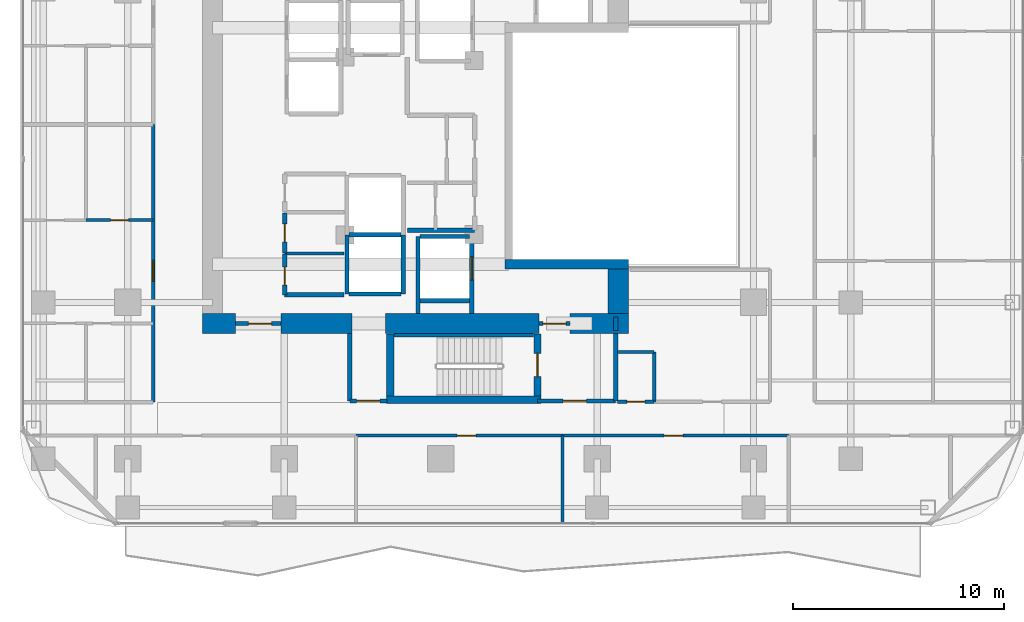
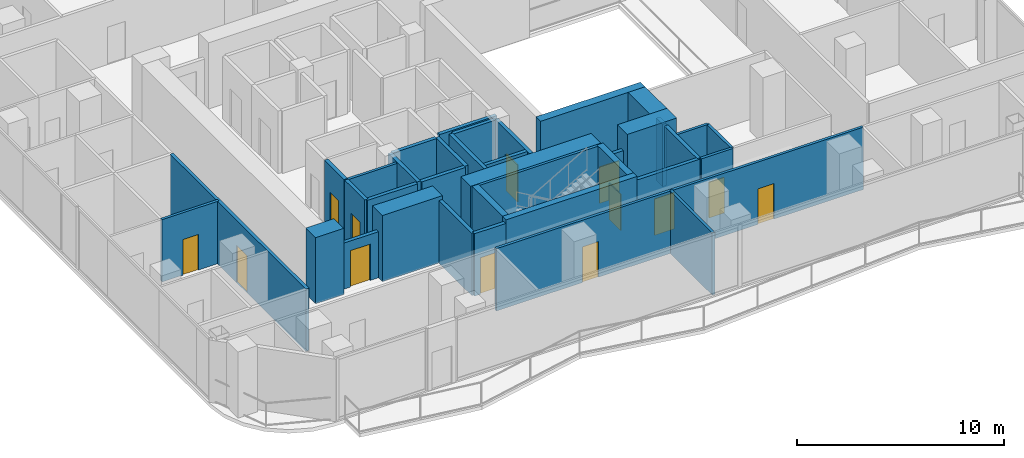
# One storey, part 19 of 26: 38 walls, 13 doors, 13 openings.
"""IFC4 building model written with IfcOpenShell, lengths in metres."""

from ifc_helpers import new_model, si_unit, direction, frame, frame_2d, origin, place, context, subcontext, project, spatial, rectangle, extrude, material, layer, layer_set, type_object, element, fill, save


model = new_model("IFC4")

# Units and contexts
model_context = context("Model", 3, precision=1e-05, world=origin(), true_north=direction((0.0, 1.0)))
body_context = subcontext(model_context, "Body", "Model", "MODEL_VIEW")
ifc_project = project(units=[si_unit("LENGTHUNIT", "METRE"), si_unit("AREAUNIT", "SQUARE_METRE"), si_unit("VOLUMEUNIT", "CUBIC_METRE"), si_unit("PLANEANGLEUNIT", "RADIAN"), si_unit("MASSUNIT", "GRAM", prefix="KILO")], contexts=[model_context])

# Site, building, storey
site_placement = place(None, origin())
site = spatial("IfcSite", under=ifc_project, at=site_placement, CompositionType="ELEMENT")
building_placement = place(site_placement, origin())
building = spatial("IfcBuilding", under=site, at=building_placement, Name="Khorvyn Point Tower", CompositionType="ELEMENT")
storey_placement = place(building_placement, frame((0.0, 0.0, 113.39990234375)))
storey = spatial("IfcBuildingStorey", under=building, at=storey_placement, Name="L28", CompositionType="ELEMENT", Elevation=113.39990234375)

# Wall, opening, door
ifc_material_1 = material(Name="Double acoustic gypsum on twin steel stud", Category="steel")
ifc_layer_1 = layer(ifc_material_1, 0.179931640625)
ifc_layer_set_1 = layer_set([ifc_layer_1], Name="Acoustic Double-Stud Apartment Demising Wall 180")
wall_type_1 = type_object("IfcWallType", Name="Acoustic Double-Stud Apartment Demising Wall 180", PredefinedType="PARTITIONING", material=ifc_layer_set_1)
wall_1_placement = place(storey_placement, frame((-13.60009765625, -12.1201171875, 0.0), z_axis=(0.0, 0.0, 1.0), x_axis=(0.0, 1.0, 0.0)))
wall_1 = element("IfcWall", 1, at=wall_1_placement, inside=storey, type_object=wall_type_1, Name="Wall", PredefinedType="PARTITIONING", context=body_context, shape_type="SweptSolid", body=[
    extrude(rectangle(XDim=13.13818359375, YDim=0.179931640625, at=frame_2d((6.569091796875, 0.0))), origin(), (0.0, 0.0, 1.0), 3.68017578125),
])
opening_1_placement = place(wall_1_placement, frame((5.7109375, 0.0, 0.0)))
opening_1 = element("IfcOpeningElement", 2, at=opening_1_placement, cuts=wall_1, Name="Opening ID-AP60", PredefinedType="OPENING", context=body_context, shape_type="SweptSolid", body=[
    extrude(rectangle(XDim=1.0, YDim=2.199951171875, at=frame_2d((0.5, 1.10009765625))), frame((0.0, 0.099853515625, 0.0), z_axis=(0.0, -1.0, 0.0), x_axis=(1.0, 0.0, 0.0)), (0.0, 0.0, 1.0), 0.199951171875),
])
ifc_material_2 = material(Name="Engineered hardwood fire-rated leaf", Category="wood")
door_type_1 = type_object("IfcDoorType", Name="Acoustic Solid-Core Timber Apartment Entrance Door 1000x2200", OperationType="NOTDEFINED", PredefinedType="DOOR", material=ifc_material_2)
door_1_placement = place(opening_1_placement, origin())
door_1 = element("IfcDoor", 3, at=door_1_placement, inside=storey, type_object=door_type_1, Name="Door", OperationType="SINGLE_SWING_RIGHT", OverallHeight=2.199951171875, OverallWidth=1.0, PredefinedType="DOOR", context=body_context, shape_type="SweptSolid", body=[
    extrude(rectangle(XDim=1.0, YDim=2.199951171875, at=frame_2d((0.5, 1.10009765625))), frame((0.0, 0.02490234375, 0.0), z_axis=(0.0, -1.0, 0.0), x_axis=(1.0, 0.0, 0.0)), (0.0, 0.0, 1.0), 0.050048828125),
])
fill(opening_1, door_1)

# Wall
ifc_material_3 = material(Name="Concrete C40/50", Category="concrete")
ifc_layer_2 = layer(ifc_material_3, 0.449951171875)
ifc_layer_set_2 = layer_set([ifc_layer_2], Name="Concrete C40/50 Core Shear Wall 450")
wall_type_2 = type_object("IfcWallType", Name="Concrete C40/50 Core Shear Wall 450", PredefinedType="SHEAR", material=ifc_layer_set_2)
wall_2_placement = place(storey_placement, frame((3.044921875, -5.60009765625, 0.0), z_axis=(0.0, 0.0, 1.0), x_axis=(1.0, 0.0, 0.0)))
element("IfcWall", 4, at=wall_2_placement, inside=storey, type_object=wall_type_2, Name="Wall", PredefinedType="SHEAR", context=body_context, shape_type="SweptSolid", body=[
    extrude(rectangle(XDim=5.830078125, YDim=0.449951171875, at=frame_2d((2.9150390625, 0.0))), origin(), (0.0, 0.0, 1.0), 3.900146484375),
])

# Wall, opening, door
ifc_layer_3 = layer(ifc_material_3, 0.199951171875)
ifc_layer_set_3 = layer_set([ifc_layer_3], Name="Concrete C40/50 Fire-Lobby Compartment Wall 200")
wall_type_3 = type_object("IfcWallType", Name="Concrete C40/50 Fire-Lobby Compartment Wall 200", PredefinedType="SOLIDWALL", material=ifc_layer_set_3)
wall_3_placement = place(storey_placement, frame((4.580078125, -12.06005859375, 0.0), z_axis=(0.0, 0.0, 1.0), x_axis=(1.0, 0.0, 0.0)))
wall_3 = element("IfcWall", 5, at=wall_3_placement, inside=storey, type_object=wall_type_3, Name="Wall", PredefinedType="SOLIDWALL", context=body_context, shape_type="SweptSolid", body=[
    extrude(rectangle(XDim=3.699951171875, YDim=0.199951171875, at=frame_2d((1.85009765625, 0.0))), origin(), (0.0, 0.0, 1.0), 3.68017578125),
])
opening_2_placement = place(wall_3_placement, frame((1.21240234375, 0.0, 0.0)))
opening_2 = element("IfcOpeningElement", 6, at=opening_2_placement, cuts=wall_3, Name="Opening ID-FL90", PredefinedType="OPENING", context=body_context, shape_type="SweptSolid", body=[
    extrude(rectangle(XDim=1.10009765625, YDim=2.14990234375, at=frame_2d((0.550048828125, 1.074951171875))), frame((0.0, 0.10986328125, 0.0), z_axis=(0.0, -1.0, 0.0), x_axis=(1.0, 0.0, 0.0)), (0.0, 0.0, 1.0), 0.219970703125),
])
ifc_material_4 = material(Name="Galvanised powder-coated steel", Category="steel")
door_type_2 = type_object("IfcDoorType", Name="Fire-Rated Steel Lobby and Stair Door 1100x2150", OperationType="NOTDEFINED", PredefinedType="DOOR", material=ifc_material_4)
door_2_placement = place(opening_2_placement, origin())
door_2 = element("IfcDoor", 7, at=door_2_placement, inside=storey, type_object=door_type_2, Name="Door", OperationType="SINGLE_SWING_RIGHT", OverallHeight=2.14990234375, OverallWidth=1.10009765625, PredefinedType="DOOR", context=body_context, shape_type="SweptSolid", body=[
    extrude(rectangle(XDim=1.10009765625, YDim=2.14990234375, at=frame_2d((0.550048828125, 1.074951171875))), frame((0.0, 0.02490234375, 0.0), z_axis=(0.0, -1.0, 0.0), x_axis=(1.0, 0.0, 0.0)), (0.0, 0.0, 1.0), 0.050048828125),
])
fill(opening_2, door_2)

wall_4_placement = place(storey_placement, frame((4.64990234375, -8.39990234375, 0.0), z_axis=(0.0, 0.0, 1.0), x_axis=(1.0, 0.0, 0.0)))
wall_4 = element("IfcWall", 8, at=wall_4_placement, inside=storey, type_object=wall_type_3, Name="Wall", PredefinedType="SOLIDWALL", context=body_context, shape_type="SweptSolid", body=[
    extrude(rectangle(XDim=1.47021484375, YDim=0.199951171875, at=frame_2d((0.735107421875, 0.0))), origin(), (0.0, 0.0, 1.0), 2.72021484375),
])
opening_3_placement = place(wall_4_placement, frame((0.18505859375, 0.0, 0.0)))
opening_3 = element("IfcOpeningElement", 9, at=opening_3_placement, cuts=wall_4, Name="Opening ID-FL90", PredefinedType="OPENING", context=body_context, shape_type="SweptSolid", body=[
    extrude(rectangle(XDim=1.10009765625, YDim=2.14990234375, at=frame_2d((0.550048828125, 1.074951171875))), frame((0.0, 0.10986328125, 0.0), z_axis=(0.0, -1.0, 0.0), x_axis=(1.0, 0.0, 0.0)), (0.0, 0.0, 1.0), 0.219970703125),
])
door_3_placement = place(opening_3_placement, origin())
door_3 = element("IfcDoor", 10, at=door_3_placement, inside=storey, type_object=door_type_2, Name="Door", OperationType="SINGLE_SWING_LEFT", OverallHeight=2.14990234375, OverallWidth=1.10009765625, PredefinedType="DOOR", context=body_context, shape_type="SweptSolid", body=[
    extrude(rectangle(XDim=1.10009765625, YDim=2.14990234375, at=frame_2d((0.550048828125, 1.074951171875))), frame((0.0, 0.02490234375, 0.0), z_axis=(0.0, -1.0, 0.0), x_axis=(1.0, 0.0, 0.0)), (0.0, 0.0, 1.0), 0.050048828125),
])
fill(opening_3, door_3)

wall_5_placement = place(storey_placement, frame((-9.699951171875, -8.39990234375, 0.0), z_axis=(0.0, 0.0, 1.0), x_axis=(1.0, 0.0, 0.0)))
wall_5 = element("IfcWall", 11, at=wall_5_placement, inside=storey, type_object=wall_type_3, Name="Wall", PredefinedType="SOLIDWALL", context=body_context, shape_type="SweptSolid", body=[
    extrude(rectangle(XDim=2.14990234375, YDim=0.199951171875, at=frame_2d((1.074951171875, 0.0))), origin(), (0.0, 0.0, 1.0), 2.72021484375),
])
opening_4_placement = place(wall_5_placement, frame((0.597900390625, 0.0, 0.0)))
opening_4 = element("IfcOpeningElement", 12, at=opening_4_placement, cuts=wall_5, Name="Opening ID-FL90", PredefinedType="OPENING", context=body_context, shape_type="SweptSolid", body=[
    extrude(rectangle(XDim=1.10009765625, YDim=2.14990234375, at=frame_2d((0.550048828125, 1.074951171875))), frame((0.0, 0.10986328125, 0.0), z_axis=(0.0, -1.0, 0.0), x_axis=(1.0, 0.0, 0.0)), (0.0, 0.0, 1.0), 0.219970703125),
])
door_4_placement = place(opening_4_placement, origin())
door_4 = element("IfcDoor", 13, at=door_4_placement, inside=storey, type_object=door_type_2, Name="Door", OperationType="SINGLE_SWING_LEFT", OverallHeight=2.14990234375, OverallWidth=1.10009765625, PredefinedType="DOOR", context=body_context, shape_type="SweptSolid", body=[
    extrude(rectangle(XDim=1.10009765625, YDim=2.14990234375, at=frame_2d((0.550048828125, 1.074951171875))), frame((0.0, 0.02490234375, 0.0), z_axis=(0.0, -1.0, 0.0), x_axis=(1.0, 0.0, 0.0)), (0.0, 0.0, 1.0), 0.050048828125),
])
fill(opening_4, door_4)

wall_6_placement = place(storey_placement, frame((-4.300048828125, -12.06005859375, 0.0), z_axis=(0.0, 0.0, 1.0), x_axis=(1.0, 0.0, 0.0)))
wall_6 = element("IfcWall", 14, at=wall_6_placement, inside=storey, type_object=wall_type_3, Name="Wall", PredefinedType="SOLIDWALL", context=body_context, shape_type="SweptSolid", body=[
    extrude(rectangle(XDim=1.75, YDim=0.199951171875, at=frame_2d((0.875, 0.0))), origin(), (0.0, 0.0, 1.0), 3.68017578125),
])
opening_5_placement = place(wall_6_placement, frame((0.324951171875, 0.0, 0.0)))
opening_5 = element("IfcOpeningElement", 15, at=opening_5_placement, cuts=wall_6, Name="Opening ID-FL90", PredefinedType="OPENING", context=body_context, shape_type="SweptSolid", body=[
    extrude(rectangle(XDim=1.10009765625, YDim=2.14990234375, at=frame_2d((0.550048828125, 1.074951171875))), frame((0.0, 0.10986328125, 0.0), z_axis=(0.0, -1.0, 0.0), x_axis=(1.0, 0.0, 0.0)), (0.0, 0.0, 1.0), 0.219970703125),
])
door_5_placement = place(opening_5_placement, origin())
door_5 = element("IfcDoor", 16, at=door_5_placement, inside=storey, type_object=door_type_2, Name="Door", OperationType="SINGLE_SWING_LEFT", OverallHeight=2.14990234375, OverallWidth=1.10009765625, PredefinedType="DOOR", context=body_context, shape_type="SweptSolid", body=[
    extrude(rectangle(XDim=1.10009765625, YDim=2.14990234375, at=frame_2d((0.550048828125, 1.074951171875))), frame((0.0, 0.02490234375, 0.0), z_axis=(0.0, -1.0, 0.0), x_axis=(1.0, 0.0, 0.0)), (0.0, 0.0, 1.0), 0.050048828125),
])
fill(opening_5, door_5)

wall_7_placement = place(storey_placement, frame((-7.3798828125, -7.0400390625, 0.0), z_axis=(0.0, 0.0, 1.0), x_axis=(0.0, 1.0, 0.0)))
wall_7 = element("IfcWall", 17, at=wall_7_placement, inside=storey, type_object=wall_type_3, Name="Wall", PredefinedType="SOLIDWALL", context=body_context, shape_type="SweptSolid", body=[
    extrude(rectangle(XDim=1.929931640625, YDim=0.199951171875, at=frame_2d((0.96484375, 0.0))), origin(), (0.0, 0.0, 1.0), 3.68017578125),
])
opening_6_placement = place(wall_7_placement, frame((0.464111328125, 0.0, 0.0)))
opening_6 = element("IfcOpeningElement", 18, at=opening_6_placement, cuts=wall_7, Name="Opening ID-WC85", PredefinedType="OPENING", context=body_context, shape_type="SweptSolid", body=[
    extrude(rectangle(XDim=0.85009765625, YDim=2.10009765625, at=frame_2d((0.425048828125, 1.050048828125))), frame((0.0, 0.10986328125, 0.0), z_axis=(0.0, -1.0, 0.0), x_axis=(1.0, 0.0, 0.0)), (0.0, 0.0, 1.0), 0.219970703125),
])
ifc_material_5 = material(Name="High-pressure laminate on moisture-resistant core", Category="wood")
door_type_3 = type_object("IfcDoorType", Name="Moisture-Resistant Accessible Washroom Door 850x2100", OperationType="NOTDEFINED", PredefinedType="DOOR", material=ifc_material_5)
door_6_placement = place(opening_6_placement, origin())
door_6 = element("IfcDoor", 19, at=door_6_placement, inside=storey, type_object=door_type_3, Name="Door", OperationType="SINGLE_SWING_RIGHT", OverallHeight=2.10009765625, OverallWidth=0.85009765625, PredefinedType="DOOR", context=body_context, shape_type="SweptSolid", body=[
    extrude(rectangle(XDim=0.85009765625, YDim=2.10009765625, at=frame_2d((0.425048828125, 1.050048828125))), frame((0.0, 0.02490234375, 0.0), z_axis=(0.0, -1.0, 0.0), x_axis=(1.0, 0.0, 0.0)), (0.0, 0.0, 1.0), 0.050048828125),
])
fill(opening_6, door_6)

wall_8_placement = place(storey_placement, frame((-7.3798828125, -5.050048828125, 0.0), z_axis=(0.0, 0.0, 1.0), x_axis=(0.0, 1.0, 0.0)))
wall_8 = element("IfcWall", 20, at=wall_8_placement, inside=storey, type_object=wall_type_3, Name="Wall", PredefinedType="SOLIDWALL", context=body_context, shape_type="SweptSolid", body=[
    extrude(rectangle(XDim=1.89013671875, YDim=0.199951171875, at=frame_2d((0.945068359375, 0.0))), origin(), (0.0, 0.0, 1.0), 3.68017578125),
])
opening_7_placement = place(wall_8_placement, frame((0.52001953125, 0.0, 0.0)))
opening_7 = element("IfcOpeningElement", 21, at=opening_7_placement, cuts=wall_8, Name="Opening ID-WC85", PredefinedType="OPENING", context=body_context, shape_type="SweptSolid", body=[
    extrude(rectangle(XDim=0.85009765625, YDim=2.10009765625, at=frame_2d((0.425048828125, 1.050048828125))), frame((0.0, 0.10986328125, 0.0), z_axis=(0.0, -1.0, 0.0), x_axis=(1.0, 0.0, 0.0)), (0.0, 0.0, 1.0), 0.219970703125),
])
door_7_placement = place(opening_7_placement, origin())
door_7 = element("IfcDoor", 22, at=door_7_placement, inside=storey, type_object=door_type_3, Name="Door", OperationType="SINGLE_SWING_LEFT", OverallHeight=2.10009765625, OverallWidth=0.85009765625, PredefinedType="DOOR", context=body_context, shape_type="SweptSolid", body=[
    extrude(rectangle(XDim=0.85009765625, YDim=2.10009765625, at=frame_2d((0.425048828125, 1.050048828125))), frame((0.0, 0.02490234375, 0.0), z_axis=(0.0, -1.0, 0.0), x_axis=(1.0, 0.0, 0.0)), (0.0, 0.0, 1.0), 0.050048828125),
])
fill(opening_7, door_7)

# Walls
for number, where, z_axis, x_axis, name in (
    (23, (8.280029296875, -12.06005859375, 0.0), (0.0, 0.0, 1.0), (0.0, 1.0, 0.0), "Wall"),
    (24, (-4.300048828125, -12.06005859375, 0.0), (0.0, 0.0, 1.0), (0.0, 1.0, 0.0), "Wall"),
):
    element("IfcWall", number, at=place(storey_placement, frame(where, z_axis=z_axis, x_axis=x_axis)), inside=storey, type_object=wall_type_3, Name=name, PredefinedType="SOLIDWALL", context=body_context, shape_type="SweptSolid", body=[
        extrude(rectangle(XDim=3.18505859375, YDim=0.199951171875, at=frame_2d((1.592529296875, 0.0))), origin(), (0.0, 0.0, 1.0), 3.68017578125),
    ])
wall_9_placement = place(storey_placement, frame((-1.580078125, -3.97998046875, 0.0), z_axis=(0.0, 0.0, 1.0), x_axis=(1.0, 0.0, 0.0)))
element("IfcWall", 25, at=wall_9_placement, inside=storey, type_object=wall_type_3, Name="Wall", PredefinedType="SOLIDWALL", context=body_context, shape_type="SweptSolid", body=[
    extrude(rectangle(XDim=3.190185546875, YDim=0.199951171875, at=frame_2d((1.59521484375, 0.0))), origin(), (0.0, 0.0, 1.0), 3.68017578125),
])
wall_10_placement = place(storey_placement, frame((-7.3798828125, -7.0400390625, 0.0), z_axis=(0.0, 0.0, 1.0), x_axis=(1.0, 0.0, 0.0)))
element("IfcWall", 26, at=wall_10_placement, inside=storey, type_object=wall_type_3, Name="Wall", PredefinedType="SOLIDWALL", context=body_context, shape_type="SweptSolid", body=[
    extrude(rectangle(XDim=2.7998046875, YDim=0.199951171875, at=frame_2d((1.39990234375, 0.0))), origin(), (0.0, 0.0, 1.0), 3.68017578125),
])
wall_11_placement = place(storey_placement, frame((8.280029296875, -8.72509765625, 0.0), z_axis=(0.0, 0.0, 1.0), x_axis=(0.0, 1.0, 0.0)))
element("IfcWall", 27, at=wall_11_placement, inside=storey, type_object=wall_type_3, Name="Wall", PredefinedType="SOLIDWALL", context=body_context, shape_type="SweptSolid", body=[
    extrude(rectangle(XDim=0.625, YDim=0.199951171875, at=frame_2d((0.3125, 0.0))), origin(), (0.0, 0.0, 1.0), 3.68017578125),
])
ifc_layer_4 = layer(ifc_material_3, 0.25)
ifc_layer_set_4 = layer_set([ifc_layer_4], Name="Concrete C40/50 Stair Inner Cheek Structural Wall 250")
wall_type_4 = type_object("IfcWallType", Name="Concrete C40/50 Stair Inner Cheek Structural Wall 250", PredefinedType="SHEAR", material=ifc_layer_set_4)
wall_12_placement = place(storey_placement, frame((-2.199951171875, -8.949951171875, 0.0), z_axis=(0.0, 0.0, 1.0), x_axis=(1.0, 0.0, 0.0)))
element("IfcWall", 28, at=wall_12_placement, inside=storey, type_object=wall_type_4, Name="Wall", PredefinedType="SHEAR", context=body_context, shape_type="SweptSolid", body=[
    extrude(rectangle(XDim=6.599853515625, YDim=0.14990234375, at=frame_2d((3.2998046875, 0.0))), origin(), (0.0, 0.0, 1.0), 3.900146484375),
])
ifc_layer_5 = layer(ifc_material_3, 0.35009765625)
ifc_layer_set_5 = layer_set([ifc_layer_5], Name="Concrete C40/50 Stair Shaft Structural Wall 350")
wall_type_5 = type_object("IfcWallType", Name="Concrete C40/50 Stair Shaft Structural Wall 350", PredefinedType="SHEAR", material=ifc_layer_set_5)
wall_13_placement = place(storey_placement, frame((-2.554931640625, -12.0, 0.0), z_axis=(0.0, 0.0, 1.0), x_axis=(1.0, 0.0, 0.0)))
element("IfcWall", 29, at=wall_13_placement, inside=storey, type_object=wall_type_5, Name="L28 ST-01 South Shaft Wall", PredefinedType="SHEAR", context=body_context, shape_type="SweptSolid", body=[
    extrude(rectangle(XDim=7.309814453125, YDim=0.35009765625, at=frame_2d((3.65478515625, 0.0))), origin(), (0.0, 0.0, 1.0), 3.900146484375),
])
wall_14_placement = place(storey_placement, frame((-2.3798828125, -11.824951171875, 0.0), z_axis=(0.0, 0.0, 1.0), x_axis=(0.0, 1.0, 0.0)))
element("IfcWall", 30, at=wall_14_placement, inside=storey, type_object=wall_type_5, Name="L28 ST-01 West Shaft Wall", PredefinedType="SHEAR", context=body_context, shape_type="SweptSolid", body=[
    extrude(rectangle(XDim=2.925048828125, YDim=0.35009765625, at=frame_2d((1.46240234375, 0.0))), origin(), (0.0, 0.0, 1.0), 3.900146484375),
])

# Wall, opening, door
wall_15_placement = place(storey_placement, frame((4.580078125, -8.89990234375, 0.0), z_axis=(0.0, 0.0, 1.0), x_axis=(0.0, -1.0, 0.0)))
wall_15 = element("IfcWall", 31, at=wall_15_placement, inside=storey, type_object=wall_type_5, Name="L28 ST-01 East Landing Door Wall", PredefinedType="SHEAR", context=body_context, shape_type="SweptSolid", body=[
    extrude(rectangle(XDim=2.925048828125, YDim=0.35009765625, at=frame_2d((1.46240234375, 0.0))), origin(), (0.0, 0.0, 1.0), 3.900146484375),
])
opening_8_placement = place(wall_15_placement, frame((0.91259765625, 0.0, 0.0)))
opening_8 = element("IfcOpeningElement", 32, at=opening_8_placement, cuts=wall_15, Name="Opening ID-FL90", PredefinedType="OPENING", context=body_context, shape_type="SweptSolid", body=[
    extrude(rectangle(XDim=1.10009765625, YDim=2.14990234375, at=frame_2d((0.550048828125, 1.074951171875))), frame((0.0, 0.18505859375, 0.0), z_axis=(0.0, -1.0, 0.0), x_axis=(1.0, 0.0, 0.0)), (0.0, 0.0, 1.0), 0.3701171875),
])
door_8_placement = place(opening_8_placement, origin())
door_8 = element("IfcDoor", 33, at=door_8_placement, inside=storey, type_object=door_type_2, Name="L28 ST-01 Smokeproof Landing Door", OperationType="SINGLE_SWING_RIGHT", OverallHeight=2.14990234375, OverallWidth=1.10009765625, PredefinedType="DOOR", context=body_context, shape_type="SweptSolid", body=[
    extrude(rectangle(XDim=1.10009765625, YDim=2.14990234375, at=frame_2d((0.550048828125, 1.074951171875))), frame((0.0, 0.02490234375, 0.0), z_axis=(0.0, -1.0, 0.0), x_axis=(1.0, 0.0, 0.0)), (0.0, 0.0, 1.0), 0.050048828125),
])
fill(opening_8, door_8)

# Walls
ifc_layer_6 = layer(ifc_material_3, 0.199951171875)
ifc_layer_set_6 = layer_set([ifc_layer_6], Name="Concrete C40/50 Structural Hoistway and Stair Shaft Wall 200")
wall_type_6 = type_object("IfcWallType", Name="Concrete C40/50 Structural Hoistway and Stair Shaft Wall 200", PredefinedType="SHEAR", material=ifc_layer_set_6)
for number, where, z_axis, x_axis, name in (
    (34, (-4.425048828125, -7.0, 0.0), (0.0, 0.0, 1.0), (0.0, 1.0, 0.0), "Wall"),
    (35, (-1.77490234375, -7.0, 0.0), (0.0, 0.0, 1.0), (0.0, 1.0, 0.0), "Wall"),
):
    element("IfcWall", number, at=place(storey_placement, frame(where, z_axis=z_axis, x_axis=x_axis)), inside=storey, type_object=wall_type_6, Name=name, PredefinedType="SHEAR", context=body_context, shape_type="SweptSolid", body=[
        extrude(rectangle(XDim=2.800048828125, YDim=0.199951171875, at=frame_2d((1.39990234375, 0.0))), origin(), (0.0, 0.0, 1.0), 3.68017578125),
    ])
for number, where, z_axis, x_axis, name in (
    (36, (-4.324951171875, -7.0, 0.0), (0.0, 0.0, 1.0), (1.0, 0.0, 0.0), "Wall"),
    (37, (-4.324951171875, -4.199951171875, 0.0), (0.0, 0.0, 1.0), (1.0, 0.0, 0.0), "Wall"),
):
    element("IfcWall", number, at=place(storey_placement, frame(where, z_axis=z_axis, x_axis=x_axis)), inside=storey, type_object=wall_type_6, Name=name, PredefinedType="SHEAR", context=body_context, shape_type="SweptSolid", body=[
        extrude(rectangle(XDim=2.449951171875, YDim=0.199951171875, at=frame_2d((1.22509765625, 0.0))), origin(), (0.0, 0.0, 1.0), 3.68017578125),
    ])
wall_16_placement = place(storey_placement, frame((-1.074951171875, -7.925048828125, 0.0), z_axis=(0.0, 0.0, 1.0), x_axis=(0.0, 1.0, 0.0)))
element("IfcWall", 38, at=wall_16_placement, inside=storey, type_object=wall_type_6, Name="Wall", PredefinedType="SHEAR", context=body_context, shape_type="SweptSolid", body=[
    extrude(rectangle(XDim=3.650146484375, YDim=0.199951171875, at=frame_2d((1.8251953125, 0.0))), origin(), (0.0, 0.0, 1.0), 3.68017578125),
])

# Wall, opening, door
wall_17_placement = place(storey_placement, frame((1.47509765625, -7.925048828125, 0.0), z_axis=(0.0, 0.0, 1.0), x_axis=(0.0, 1.0, 0.0)))
wall_17 = element("IfcWall", 39, at=wall_17_placement, inside=storey, type_object=wall_type_6, Name="Wall", PredefinedType="SHEAR", context=body_context, shape_type="SweptSolid", body=[
    extrude(rectangle(XDim=3.650146484375, YDim=0.199951171875, at=frame_2d((1.8251953125, 0.0))), origin(), (0.0, 0.0, 1.0), 3.68017578125),
])
opening_9_placement = place(wall_17_placement, frame((1.574951171875, 0.0, 0.0)))
opening_9 = element("IfcOpeningElement", 40, at=opening_9_placement, cuts=wall_17, Name="Opening LD-1122", PredefinedType="OPENING", context=body_context, shape_type="SweptSolid", body=[
    extrude(rectangle(XDim=1.10009765625, YDim=2.199951171875, at=frame_2d((0.550048828125, 1.10009765625))), frame((0.0, 0.10986328125, 0.0), z_axis=(0.0, -1.0, 0.0), x_axis=(1.0, 0.0, 0.0)), (0.0, 0.0, 1.0), 0.219970703125),
])
ifc_material_6 = material(Name="Stainless steel 1.4301", Category="steel")
door_type_4 = type_object("IfcDoorType", Name="Stainless Steel Automatic Sliding Lift Landing Door 1100x2200", OperationType="SLIDING_TO_LEFT", PredefinedType="DOOR", material=ifc_material_6)
door_9_placement = place(opening_9_placement, origin())
door_9 = element("IfcDoor", 41, at=door_9_placement, inside=storey, type_object=door_type_4, Name="L28 FF-01 Sliding Lift Landing Door", OperationType="SLIDING_TO_LEFT", OverallHeight=2.199951171875, OverallWidth=1.10009765625, PredefinedType="DOOR", context=body_context, shape_type="SweptSolid", body=[
    extrude(rectangle(XDim=1.10009765625, YDim=2.199951171875, at=frame_2d((0.550048828125, 1.10009765625))), frame((0.0, 0.02490234375, 0.0), z_axis=(0.0, -1.0, 0.0), x_axis=(1.0, 0.0, 0.0)), (0.0, 0.0, 1.0), 0.050048828125),
])
fill(opening_9, door_9)

# Walls
for number, where, z_axis, x_axis, name in (
    (42, (-0.97509765625, -7.324951171875, 0.0), (0.0, 0.0, 1.0), (1.0, 0.0, 0.0), "Wall"),
    (43, (-0.97509765625, -4.27490234375, 0.0), (0.0, 0.0, 1.0), (1.0, 0.0, 0.0), "Wall"),
):
    element("IfcWall", number, at=place(storey_placement, frame(where, z_axis=z_axis, x_axis=x_axis)), inside=storey, type_object=wall_type_6, Name=name, PredefinedType="SHEAR", context=body_context, shape_type="SweptSolid", body=[
        extrude(rectangle(XDim=2.35009765625, YDim=0.199951171875, at=frame_2d((1.175048828125, 0.0))), origin(), (0.0, 0.0, 1.0), 3.68017578125),
    ])
ifc_material_7 = material(Name="Concrete C50/60", Category="concrete")
ifc_layer_7 = layer(ifc_material_7, 0.949951171875)
ifc_layer_set_7 = layer_set([ifc_layer_7], Name="Concrete C50/60 Core Shear Wall 950")
wall_type_7 = type_object("IfcWallType", Name="Concrete C50/60 Core Shear Wall 950", PredefinedType="SHEAR", material=ifc_layer_set_7)
wall_18_placement = place(storey_placement, frame((-11.27490234375, -8.39990234375, 0.0), z_axis=(0.0, 0.0, 1.0), x_axis=(1.0, 0.0, 0.0)))
element("IfcWall", 44, at=wall_18_placement, inside=storey, type_object=wall_type_7, Name="Wall", PredefinedType="SHEAR", context=body_context, shape_type="SweptSolid", body=[
    extrude(rectangle(XDim=1.574951171875, YDim=0.949951171875, at=frame_2d((0.78759765625, 0.0))), origin(), (0.0, 0.0, 1.0), 3.900146484375),
])
wall_19_placement = place(storey_placement, frame((-7.550048828125, -8.39990234375, 0.0), z_axis=(0.0, 0.0, 1.0), x_axis=(1.0, 0.0, 0.0)))
element("IfcWall", 45, at=wall_19_placement, inside=storey, type_object=wall_type_7, Name="Wall", PredefinedType="SHEAR", context=body_context, shape_type="SweptSolid", body=[
    extrude(rectangle(XDim=3.35009765625, YDim=0.949951171875, at=frame_2d((1.675048828125, 0.0))), origin(), (0.0, 0.0, 1.0), 3.900146484375),
])
wall_20_placement = place(storey_placement, frame((-2.6201171875, -8.39990234375, 0.0), z_axis=(0.0, 0.0, 1.0), x_axis=(1.0, 0.0, 0.0)))
element("IfcWall", 46, at=wall_20_placement, inside=storey, type_object=wall_type_7, Name="Wall", PredefinedType="SHEAR", context=body_context, shape_type="SweptSolid", body=[
    extrude(rectangle(XDim=7.27001953125, YDim=0.949951171875, at=frame_2d((3.635009765625, 0.0))), origin(), (0.0, 0.0, 1.0), 3.900146484375),
])
wall_21_placement = place(storey_placement, frame((6.1201171875, -8.39990234375, 0.0), z_axis=(0.0, 0.0, 1.0), x_axis=(1.0, 0.0, 0.0)))
element("IfcWall", 47, at=wall_21_placement, inside=storey, type_object=wall_type_7, Name="Wall", PredefinedType="SHEAR", context=body_context, shape_type="SweptSolid", body=[
    extrude(rectangle(XDim=2.7548828125, YDim=0.949951171875, at=frame_2d((1.37744140625, 0.0))), origin(), (0.0, 0.0, 1.0), 3.900146484375),
])
wall_22_placement = place(storey_placement, frame((8.39990234375, -7.925048828125, 0.0), z_axis=(0.0, 0.0, 1.0), x_axis=(0.0, 1.0, 0.0)))
element("IfcWall", 48, at=wall_22_placement, inside=storey, type_object=wall_type_7, Name="Wall", PredefinedType="SHEAR", context=body_context, shape_type="SweptSolid", body=[
    extrude(rectangle(XDim=2.10009765625, YDim=0.949951171875, at=frame_2d((1.050048828125, 0.0))), origin(), (0.0, 0.0, 1.0), 3.900146484375),
])

# Wall, opening, door
ifc_material_8 = material(Name="Moisture-resistant gypsum and cement board", Category="gypsum")
ifc_layer_8 = layer(ifc_material_8, 0.14990234375)
ifc_layer_set_8 = layer_set([ifc_layer_8], Name="Moisture-Resistant Wet-Room Partition Wall 150")
wall_type_8 = type_object("IfcWallType", Name="Moisture-Resistant Wet-Room Partition Wall 150", PredefinedType="PARTITIONING", material=ifc_layer_set_8)
wall_23_placement = place(storey_placement, frame((8.360107421875, -12.10009765625, 0.0), z_axis=(0.0, 0.0, 1.0), x_axis=(1.0, 0.0, 0.0)))
wall_23 = element("IfcWall", 49, at=wall_23_placement, inside=storey, type_object=wall_type_8, Name="Wall", PredefinedType="PARTITIONING", context=body_context, shape_type="SweptSolid", body=[
    extrude(rectangle(XDim=1.739990234375, YDim=0.14990234375, at=frame_2d((0.8701171875, 0.0))), origin(), (0.0, 0.0, 1.0), 3.68017578125),
])
opening_10_placement = place(wall_23_placement, frame((0.445068359375, 0.0, 0.0)))
opening_10 = element("IfcOpeningElement", 50, at=opening_10_placement, cuts=wall_23, Name="Opening ID-WC85", PredefinedType="OPENING", context=body_context, shape_type="SweptSolid", body=[
    extrude(rectangle(XDim=0.85009765625, YDim=2.10009765625, at=frame_2d((0.425048828125, 1.050048828125))), frame((0.0, 0.0849609375, 0.0), z_axis=(0.0, -1.0, 0.0), x_axis=(1.0, 0.0, 0.0)), (0.0, 0.0, 1.0), 0.169921875),
])
door_10_placement = place(opening_10_placement, origin())
door_10 = element("IfcDoor", 51, at=door_10_placement, inside=storey, type_object=door_type_3, Name="Door", OperationType="SINGLE_SWING_LEFT", OverallHeight=2.10009765625, OverallWidth=0.85009765625, PredefinedType="DOOR", context=body_context, shape_type="SweptSolid", body=[
    extrude(rectangle(XDim=0.85009765625, YDim=2.10009765625, at=frame_2d((0.425048828125, 1.050048828125))), frame((0.0, 0.02490234375, 0.0), z_axis=(0.0, -1.0, 0.0), x_axis=(1.0, 0.0, 0.0)), (0.0, 0.0, 1.0), 0.050048828125),
])
fill(opening_10, door_10)

wall_24_placement = place(storey_placement, frame((-4.011962890625, -13.699951171875, 0.0), z_axis=(0.0, 0.0, 1.0), x_axis=(1.0, 0.0, 0.0)))
wall_24 = element("IfcWall", 52, at=wall_24_placement, inside=storey, type_object=wall_type_8, Name="Wall", PredefinedType="PARTITIONING", context=body_context, shape_type="SweptSolid", body=[
    extrude(rectangle(XDim=9.77294921875, YDim=0.14990234375, at=frame_2d((4.886474609375, 0.0))), origin(), (0.0, 0.0, 1.0), 3.68017578125),
])
opening_11_placement = place(wall_24_placement, frame((4.79296875, 0.0, 0.0)))
opening_11 = element("IfcOpeningElement", 53, at=opening_11_placement, cuts=wall_24, Name="Opening ID-RM90", PredefinedType="OPENING", context=body_context, shape_type="SweptSolid", body=[
    extrude(rectangle(XDim=0.89990234375, YDim=2.10009765625, at=frame_2d((0.449951171875, 1.050048828125))), frame((0.0, 0.0849609375, 0.0), z_axis=(0.0, -1.0, 0.0), x_axis=(1.0, 0.0, 0.0)), (0.0, 0.0, 1.0), 0.169921875),
])
ifc_material_9 = material(Name="Engineered oak veneer timber", Category="wood")
door_type_5 = type_object("IfcDoorType", Name="Flush Engineered Timber Room Door 900x2100", OperationType="NOTDEFINED", PredefinedType="DOOR", material=ifc_material_9)
door_11_placement = place(opening_11_placement, origin())
door_11 = element("IfcDoor", 54, at=door_11_placement, inside=storey, type_object=door_type_5, Name="Door", OperationType="SINGLE_SWING_LEFT", OverallHeight=2.10009765625, OverallWidth=0.89990234375, PredefinedType="DOOR", context=body_context, shape_type="SweptSolid", body=[
    extrude(rectangle(XDim=0.89990234375, YDim=2.10009765625, at=frame_2d((0.449951171875, 1.050048828125))), frame((0.0, 0.02490234375, 0.0), z_axis=(0.0, -1.0, 0.0), x_axis=(1.0, 0.0, 0.0)), (0.0, 0.0, 1.0), 0.050048828125),
])
fill(opening_11, door_11)

wall_25_placement = place(storey_placement, frame((5.760986328125, -13.699951171875, 0.0), z_axis=(0.0, 0.0, 1.0), x_axis=(1.0, 0.0, 0.0)))
wall_25 = element("IfcWall", 55, at=wall_25_placement, inside=storey, type_object=wall_type_8, Name="Wall", PredefinedType="PARTITIONING", context=body_context, shape_type="SweptSolid", body=[
    extrude(rectangle(XDim=10.7041015625, YDim=0.14990234375, at=frame_2d((5.35205078125, 0.0))), origin(), (0.0, 0.0, 1.0), 3.68017578125),
])
opening_12_placement = place(wall_25_placement, frame((4.8125, 0.0, 0.0)))
opening_12 = element("IfcOpeningElement", 56, at=opening_12_placement, cuts=wall_25, Name="Opening ID-RM90", PredefinedType="OPENING", context=body_context, shape_type="SweptSolid", body=[
    extrude(rectangle(XDim=0.89990234375, YDim=2.10009765625, at=frame_2d((0.449951171875, 1.050048828125))), frame((0.0, 0.0849609375, 0.0), z_axis=(0.0, -1.0, 0.0), x_axis=(1.0, 0.0, 0.0)), (0.0, 0.0, 1.0), 0.169921875),
])
door_12_placement = place(opening_12_placement, origin())
door_12 = element("IfcDoor", 57, at=door_12_placement, inside=storey, type_object=door_type_5, Name="Door", OperationType="SINGLE_SWING_RIGHT", OverallHeight=2.10009765625, OverallWidth=0.89990234375, PredefinedType="DOOR", context=body_context, shape_type="SweptSolid", body=[
    extrude(rectangle(XDim=0.89990234375, YDim=2.10009765625, at=frame_2d((0.449951171875, 1.050048828125))), frame((0.0, 0.02490234375, 0.0), z_axis=(0.0, -1.0, 0.0), x_axis=(1.0, 0.0, 0.0)), (0.0, 0.0, 1.0), 0.050048828125),
])
fill(opening_12, door_12)

wall_26_placement = place(storey_placement, frame((-16.783935546875, -3.508056640625, 0.0), z_axis=(0.0, 0.0, 1.0), x_axis=(1.0, 0.0, 0.0)))
wall_26 = element("IfcWall", 58, at=wall_26_placement, inside=storey, type_object=wall_type_8, Name="Wall", PredefinedType="PARTITIONING", context=body_context, shape_type="SweptSolid", body=[
    extrude(rectangle(XDim=3.183837890625, YDim=0.14990234375, at=frame_2d((1.591796875, 0.0))), origin(), (0.0, 0.0, 1.0), 3.68017578125),
])
opening_13_placement = place(wall_26_placement, frame((1.1669921875, 0.0, 0.0)))
opening_13 = element("IfcOpeningElement", 59, at=opening_13_placement, cuts=wall_26, Name="Opening ID-WC85", PredefinedType="OPENING", context=body_context, shape_type="SweptSolid", body=[
    extrude(rectangle(XDim=0.85009765625, YDim=2.10009765625, at=frame_2d((0.425048828125, 1.050048828125))), frame((0.0, 0.0849609375, 0.0), z_axis=(0.0, -1.0, 0.0), x_axis=(1.0, 0.0, 0.0)), (0.0, 0.0, 1.0), 0.169921875),
])
door_13_placement = place(opening_13_placement, origin())
door_13 = element("IfcDoor", 60, at=door_13_placement, inside=storey, type_object=door_type_3, Name="Door", OperationType="SINGLE_SWING_LEFT", OverallHeight=2.10009765625, OverallWidth=0.85009765625, PredefinedType="DOOR", context=body_context, shape_type="SweptSolid", body=[
    extrude(rectangle(XDim=0.85009765625, YDim=2.10009765625, at=frame_2d((0.425048828125, 1.050048828125))), frame((0.0, 0.02490234375, 0.0), z_axis=(0.0, -1.0, 0.0), x_axis=(1.0, 0.0, 0.0)), (0.0, 0.0, 1.0), 0.050048828125),
])
fill(opening_13, door_13)

# Walls
wall_27_placement = place(storey_placement, frame((-7.3798828125, -5.080078125, 0.0), z_axis=(0.0, 0.0, 1.0), x_axis=(1.0, 0.0, 0.0)))
element("IfcWall", 61, at=wall_27_placement, inside=storey, type_object=wall_type_8, Name="Wall", PredefinedType="PARTITIONING", context=body_context, shape_type="SweptSolid", body=[
    extrude(rectangle(XDim=2.7998046875, YDim=0.14990234375, at=frame_2d((1.39990234375, 0.0))), origin(), (0.0, 0.0, 1.0), 3.68017578125),
])
wall_28_placement = place(storey_placement, frame((8.360107421875, -9.75, 0.0), z_axis=(0.0, 0.0, 1.0), x_axis=(1.0, 0.0, 0.0)))
element("IfcWall", 62, at=wall_28_placement, inside=storey, type_object=wall_type_8, Name="Wall", PredefinedType="PARTITIONING", context=body_context, shape_type="SweptSolid", body=[
    extrude(rectangle(XDim=1.739990234375, YDim=0.14990234375, at=frame_2d((0.8701171875, 0.0))), origin(), (0.0, 0.0, 1.0), 3.68017578125),
])
wall_29_placement = place(storey_placement, frame((10.10009765625, -12.10009765625, 0.0), z_axis=(0.0, 0.0, 1.0), x_axis=(0.0, 1.0, 0.0)))
element("IfcWall", 63, at=wall_29_placement, inside=storey, type_object=wall_type_8, Name="Wall", PredefinedType="PARTITIONING", context=body_context, shape_type="SweptSolid", body=[
    extrude(rectangle(XDim=2.35009765625, YDim=0.14990234375, at=frame_2d((1.175048828125, 0.0))), origin(), (0.0, 0.0, 1.0), 3.68017578125),
])
wall_30_placement = place(storey_placement, frame((5.760986328125, -17.830078125, 0.0), z_axis=(0.0, 0.0, 1.0), x_axis=(0.0, 1.0, 0.0)))
element("IfcWall", 64, at=wall_30_placement, inside=storey, type_object=wall_type_8, Name="Wall", PredefinedType="PARTITIONING", context=body_context, shape_type="SweptSolid", body=[
    extrude(rectangle(XDim=4.130126953125, YDim=0.14990234375, at=frame_2d((2.06494140625, 0.0))), origin(), (0.0, 0.0, 1.0), 3.68017578125),
])

save(model, "model.ifc")
